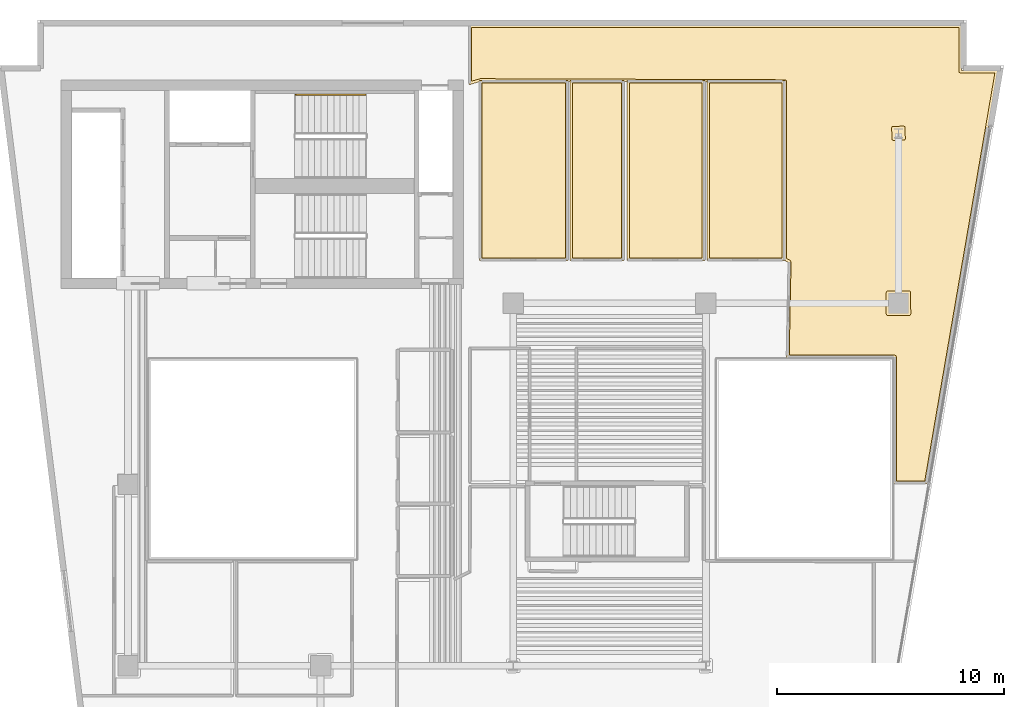
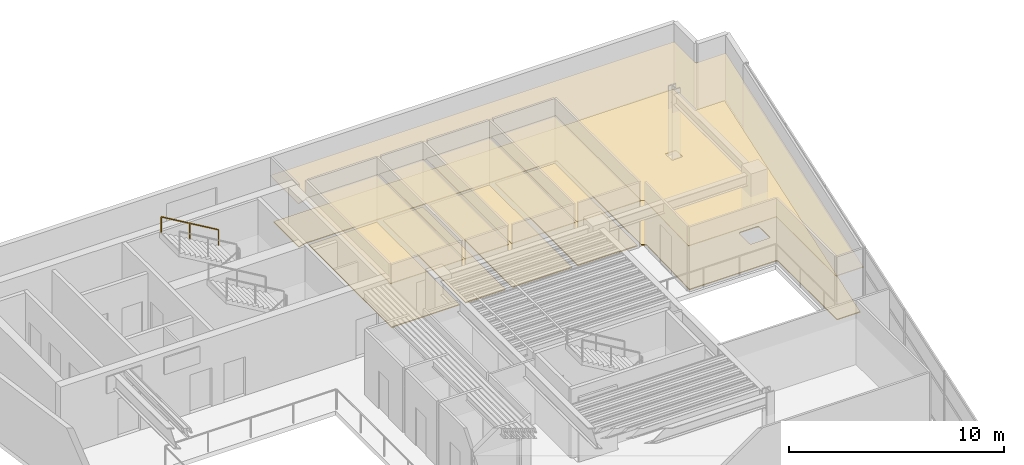
# One storey, part 9 of 9: 10 coverings, 1 railing.
"""IFC4 building model written with IfcOpenShell, lengths in metres."""

from ifc_helpers import new_model, si_unit, direction, frame, origin, origin_2d, place, context, subcontext, project, spatial, polyline, rectangle, outline, extrude, material, layer, layer_set, type_object, element, save


model = new_model("IFC4")

# Units and contexts
model_context = context("Model", 3, precision=1e-05, world=origin(), true_north=direction((0.0, 1.0)))
body_context = subcontext(model_context, "Body", "Model", "MODEL_VIEW")
ifc_project = project(units=[si_unit("LENGTHUNIT", "METRE"), si_unit("AREAUNIT", "SQUARE_METRE"), si_unit("VOLUMEUNIT", "CUBIC_METRE"), si_unit("PLANEANGLEUNIT", "RADIAN"), si_unit("MASSUNIT", "GRAM", prefix="KILO")], contexts=[model_context])

# Site, building, storey
site_placement = place(None, origin())
site = spatial("IfcSite", under=ifc_project, at=site_placement, CompositionType="ELEMENT")
building_placement = place(site_placement, origin())
building = spatial("IfcBuilding", under=site, at=building_placement, Name="Caeloran Harvest Quay", CompositionType="ELEMENT")
storey_placement = place(building_placement, frame((0.0, 0.0, 195.60009765625)))
storey = spatial("IfcBuildingStorey", under=building, at=storey_placement, Name="L46", CompositionType="ELEMENT", Elevation=195.60009765625)

# Coverings
ifc_material_1 = material(Name="Perforated Mineral-Fibre Acoustic Ceiling Tile", Category="ceiling")
ifc_layer_1 = layer(ifc_material_1, 0.0400390625, Name="Perforated Mineral-Fibre Acoustic Ceiling Tile")
ifc_layer_set_1 = layer_set([ifc_layer_1], Name="Perforated Mineral-Fibre Acoustic Ceiling Tile")
covering_type_1 = type_object("IfcCoveringType", Name="COV-CEILING-ACOUSTIC", PredefinedType="CEILING", material=ifc_layer_set_1)
covering_1_placement = place(storey_placement, frame((0.0, 0.0, 2.599853515625)))
element("IfcCovering", 1, at=covering_1_placement, inside=storey, type_object=covering_type_1, Name="L46 Crop Phenotyping West Laboratory Acoustic Ceiling", PredefinedType="CEILING", context=body_context, shape_type="SweptSolid", body=[
    extrude(outline(polyline([(27.919921875, 40.840087890625), (27.919921875, 32.8798828125), (24.010009765625, 32.8798828125), (24.010009765625, 40.840087890625), (27.919921875, 40.840087890625)])), origin(), (0.0, 0.0, 1.0), 0.0400390625),
])
covering_2_placement = place(storey_placement, frame((0.0, 0.0, 2.599853515625)))
element("IfcCovering", 2, at=covering_2_placement, inside=storey, type_object=covering_type_1, Name="L46 Genomics Sequencing East Studio Acoustic Ceiling", PredefinedType="CEILING", context=body_context, shape_type="SweptSolid", body=[
    extrude(outline(polyline([(30.389892578125, 40.840087890625), (30.389892578125, 32.8798828125), (28.0, 32.8798828125), (28.0, 40.840087890625), (30.389892578125, 40.840087890625)])), origin(), (0.0, 0.0, 1.0), 0.0400390625),
])
covering_3_placement = place(storey_placement, frame((0.0, 0.0, 2.599853515625)))
element("IfcCovering", 3, at=covering_3_placement, inside=storey, type_object=covering_type_1, Name="L46 Agri-Genomics West Boardroom Acoustic Ceiling", PredefinedType="CEILING", context=body_context, shape_type="SweptSolid", body=[
    extrude(outline(polyline([(33.9599609375, 40.840087890625), (33.9599609375, 32.8798828125), (30.510009765625, 32.8798828125), (30.510009765625, 40.840087890625), (33.9599609375, 40.840087890625)])), origin(), (0.0, 0.0, 1.0), 0.0400390625),
])
covering_4_placement = place(storey_placement, frame((0.0, 0.0, 2.599853515625)))
element("IfcCovering", 4, at=covering_4_placement, inside=storey, type_object=covering_type_1, Name="L46 Executive Strategy East Office Acoustic Ceiling", PredefinedType="CEILING", context=body_context, shape_type="SweptSolid", body=[
    extrude(outline(polyline([(37.489990234375, 40.840087890625), (37.489990234375, 32.8798828125), (34.0400390625, 32.8798828125), (34.0400390625, 40.840087890625), (37.489990234375, 40.840087890625)])), origin(), (0.0, 0.0, 1.0), 0.0400390625),
])
covering_5_placement = place(storey_placement, frame((0.0, 0.0, 2.599853515625)))
element("IfcCovering", 5, at=covering_5_placement, inside=storey, type_object=covering_type_1, Name="IT Comms Laboratory Acoustic Ceiling", PredefinedType="CEILING", context=body_context, shape_type="SweptSolid", body=[
    extrude(outline(polyline([(45.280029296875, 43.280029296875), (45.280029296875, 41.280029296875), (46.895263671875, 41.280029296875), (43.760009765625, 23.0400390625), (42.2900390625, 23.0400390625), (42.2900390625, 28.590087890625), (37.556884765625, 28.590087890625), (37.639404296875, 32.797119140625), (37.43994140625, 32.91015625), (37.43994140625, 40.760009765625), (24.0556640625, 40.7900390625), (23.5400390625, 40.63916015625), (23.5400390625, 43.280029296875), (45.280029296875, 43.280029296875)])), origin(), (0.0, 0.0, 1.0), 0.0400390625),
])
ifc_material_2 = material(Name="Calcium-Sulphate Raised Access Floor and Terrazzo Finish", Category="flooring")
ifc_layer_2 = layer(ifc_material_2, 0.050048828125, Name="Calcium-Sulphate Raised Access Floor and Terrazzo Finish")
ifc_layer_set_2 = layer_set([ifc_layer_2], Name="Calcium-Sulphate Raised Access Floor and Terrazzo Finish")
covering_type_2 = type_object("IfcCoveringType", Name="COV-FLOOR-RAISED", PredefinedType="FLOORING", material=ifc_layer_set_2)
covering_6_placement = place(storey_placement, origin())
element("IfcCovering", 6, at=covering_6_placement, inside=storey, type_object=covering_type_2, Name="L46 Crop Phenotyping West Laboratory Raised Finish Flooring", PredefinedType="FLOORING", context=body_context, shape_type="SweptSolid", body=[
    extrude(outline(polyline([(27.800048828125, 40.719970703125), (27.800048828125, 33.0), (24.1298828125, 33.0), (24.1298828125, 40.719970703125), (27.800048828125, 40.719970703125)])), origin(), (0.0, 0.0, 1.0), 0.0498046875),
])
covering_7_placement = place(storey_placement, origin())
element("IfcCovering", 7, at=covering_7_placement, inside=storey, type_object=covering_type_2, Name="L46 Genomics Sequencing East Studio Raised Finish Flooring", PredefinedType="FLOORING", context=body_context, shape_type="SweptSolid", body=[
    extrude(outline(polyline([(30.27001953125, 40.719970703125), (30.27001953125, 33.0), (28.1201171875, 33.0), (28.1201171875, 40.719970703125), (30.27001953125, 40.719970703125)])), origin(), (0.0, 0.0, 1.0), 0.0498046875),
])
covering_8_placement = place(storey_placement, origin())
element("IfcCovering", 8, at=covering_8_placement, inside=storey, type_object=covering_type_2, Name="L46 Agri-Genomics West Boardroom Raised Finish Flooring", PredefinedType="FLOORING", context=body_context, shape_type="SweptSolid", body=[
    extrude(outline(polyline([(33.840087890625, 40.719970703125), (33.840087890625, 33.0), (30.6298828125, 33.0), (30.6298828125, 40.719970703125), (33.840087890625, 40.719970703125)])), origin(), (0.0, 0.0, 1.0), 0.0498046875),
])
covering_9_placement = place(storey_placement, origin())
element("IfcCovering", 9, at=covering_9_placement, inside=storey, type_object=covering_type_2, Name="L46 Executive Strategy East Office Raised Finish Flooring", PredefinedType="FLOORING", context=body_context, shape_type="SweptSolid", body=[
    extrude(outline(polyline([(37.3701171875, 40.719970703125), (37.3701171875, 33.0), (34.159912109375, 33.0), (34.159912109375, 40.719970703125), (37.3701171875, 40.719970703125)])), origin(), (0.0, 0.0, 1.0), 0.0498046875),
])
covering_10_placement = place(storey_placement, origin())
element("IfcCovering", 10, at=covering_10_placement, inside=storey, type_object=covering_type_2, Name="IT Comms Laboratory Raised Finish Flooring", PredefinedType="FLOORING", context=body_context, shape_type="SweptSolid", body=[
    extrude(outline(polyline([(23.659912109375, 40.79931640625), (23.659912109375, 43.159912109375), (45.159912109375, 43.159912109375), (45.17822265625, 41.189208984375), (45.239990234375, 41.159912109375), (46.752685546875, 41.159912109375), (43.658935546875, 23.159912109375), (42.409912109375, 23.159912109375), (42.409912109375, 28.6298828125), (42.38671875, 28.6865234375), (42.330078125, 28.7099609375), (37.679443359375, 28.7099609375), (37.760009765625, 32.818359375), (37.732177734375, 32.880615234375), (37.56005859375, 32.97998046875), (37.56005859375, 40.800048828125), (37.53076171875, 40.86181640625), (24.05029296875, 40.909912109375), (23.659912109375, 40.79931640625)]), holes=[polyline([(43.044921875, 30.534912109375), (43.02685546875, 31.515869140625), (42.972900390625, 31.544677734375), (42.034912109375, 31.544921875), (41.978515625, 31.521484375), (41.955078125, 31.465087890625), (41.955078125, 30.534912109375), (41.978515625, 30.478515625), (42.034912109375, 30.455078125), (42.965087890625, 30.455078125), (43.021484375, 30.478515625), (43.044921875, 30.534912109375)]), polyline([(42.802490234375, 38.254150390625), (42.784912109375, 38.788818359375), (42.730712890625, 38.817626953125), (42.226318359375, 38.7998046875), (42.197021484375, 38.738037109375), (42.215087890625, 38.211181640625), (42.277099609375, 38.181884765625), (42.773681640625, 38.2001953125), (42.802490234375, 38.254150390625)])]), origin(), (0.0, 0.0, 1.0), 0.0498046875),
])

# Railing
ifc_material_3 = material(Name="Brushed Stainless Steel Grade 304", Category="steel")
ifc_layer_3 = layer(ifc_material_3, 0.050048828125, Name="Brushed Stainless Steel Grade 304")
ifc_layer_set_3 = layer_set([ifc_layer_3], Name="Brushed Stainless Steel Grade 304")
railing_type = type_object("IfcRailingType", Name="STAIR-HANDRAIL-900", PredefinedType="HANDRAIL", material=ifc_layer_set_3)
railing_placement = place(storey_placement, frame((18.97998046875, 40.199951171875, 2.139404296875)))
element("IfcRailing", 11, at=railing_placement, inside=storey, type_object=railing_type, Name="L46 ST-C1 stair handrail 2", PredefinedType="HANDRAIL", context=body_context, shape_type="SweptSolid", body=[
    extrude(rectangle(XDim=0.048095703125, YDim=0.048095703125, at=origin_2d()), frame((0.0, 0.0, 0.8759765625), z_axis=(-0.862088758681, 0.0, 0.506757310905), x_axis=(0.0, -1.0, 0.0)), (0.0, 0.0, 1.0), 3.57275390625),
    extrude(rectangle(XDim=0.0419921875, YDim=0.0419921875, at=origin_2d()), origin(), (0.0, 0.0, 1.0), 0.851806640625),
    extrude(rectangle(XDim=0.0419921875, YDim=0.0419921875, at=origin_2d()), frame((-1.5400390625, 0.0, 0.9052734375)), (0.0, 0.0, 1.0), 0.851806640625),
    extrude(rectangle(XDim=0.0419921875, YDim=0.0419921875, at=origin_2d()), frame((-3.080078125, 0.0, 1.810546875)), (0.0, 0.0, 1.0), 0.851806640625),
])

save(model, "model.ifc")
